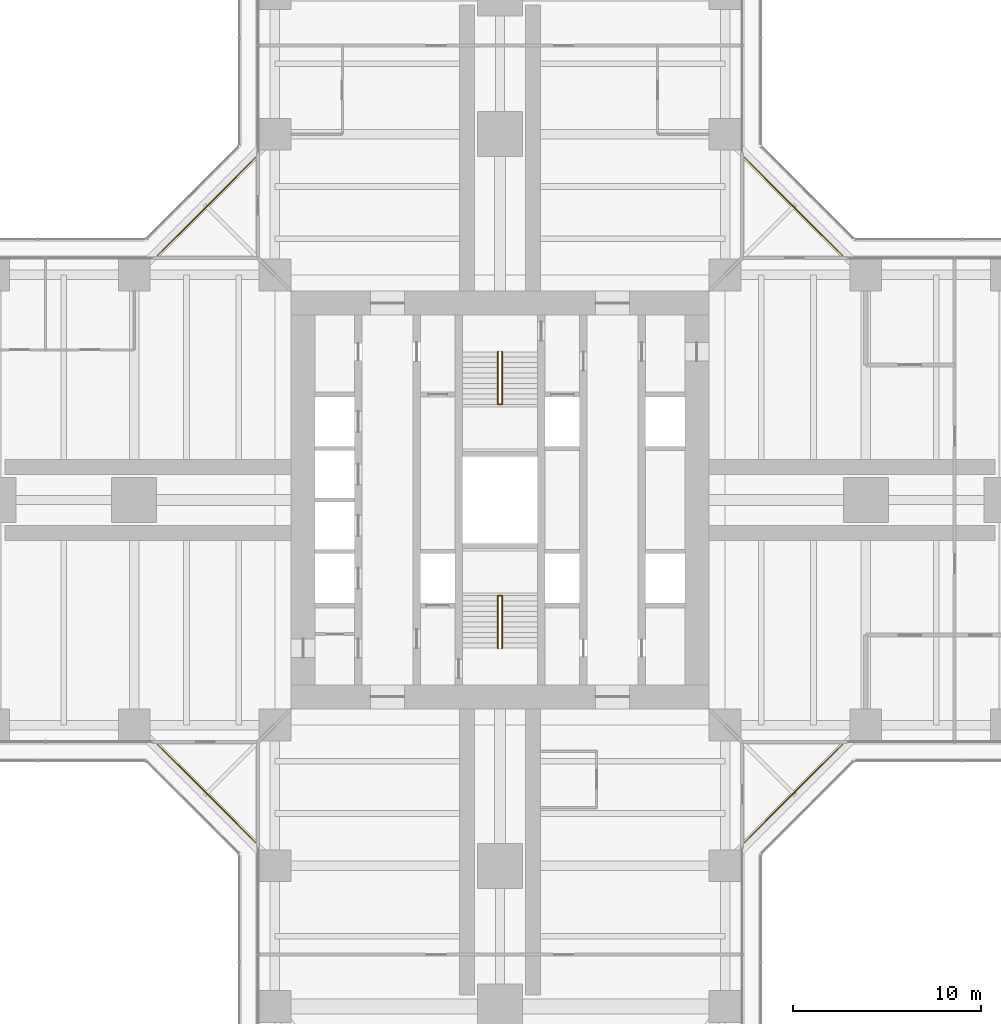
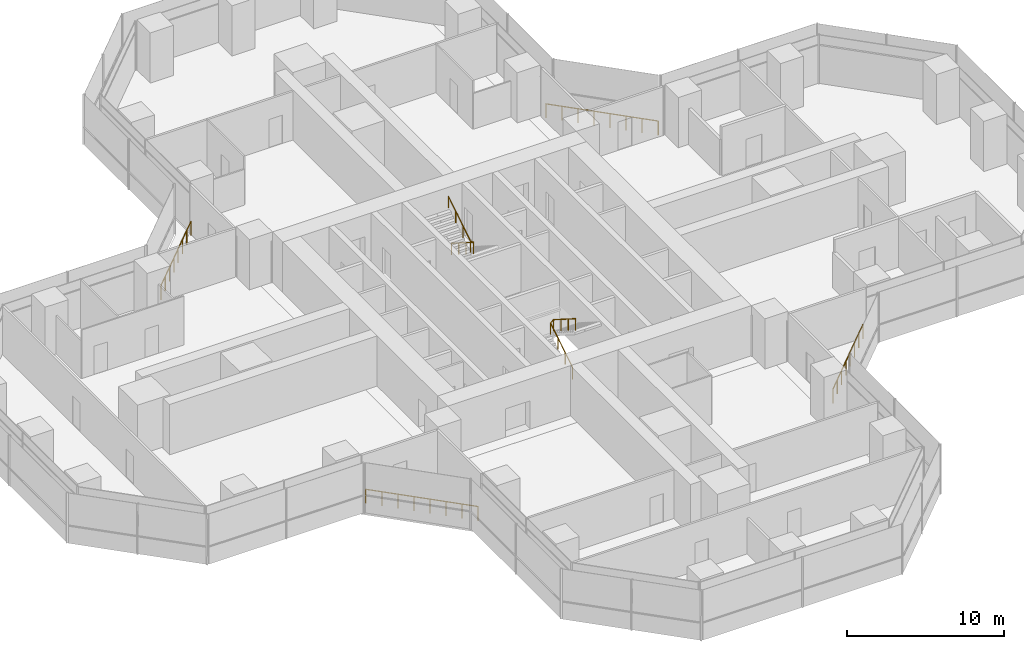
# One storey, part 22 of 22: 6 railings.
"""IFC4 building model written with IfcOpenShell, lengths in metres."""

from ifc_helpers import new_model, si_unit, direction, frame, origin, origin_2d, place, context, subcontext, project, spatial, circle, extrude, material, type_object, element, save


model = new_model("IFC4")

# Units and contexts
model_context = context("Model", 3, precision=1e-05, world=origin(), true_north=direction((0.0, 1.0)))
body_context = subcontext(model_context, "Body", "Model", "MODEL_VIEW")
ifc_project = project(units=[si_unit("LENGTHUNIT", "METRE"), si_unit("AREAUNIT", "SQUARE_METRE"), si_unit("VOLUMEUNIT", "CUBIC_METRE"), si_unit("PLANEANGLEUNIT", "RADIAN"), si_unit("MASSUNIT", "GRAM", prefix="KILO")], contexts=[model_context])

# Site, building, storey
site_placement = place(None, origin())
site = spatial("IfcSite", under=ifc_project, at=site_placement, CompositionType="ELEMENT")
building_placement = place(site_placement, origin())
building = spatial("IfcBuilding", under=site, at=building_placement, Name="Mizan Broadcast Tower", CompositionType="ELEMENT")
storey_placement = place(building_placement, frame((0.0, 0.0, 86.39990234375)))
storey = spatial("IfcBuildingStorey", under=building, at=storey_placement, Name="L18", CompositionType="ELEMENT", Elevation=86.39990234375)

# Railings
ifc_material_1 = material(Name="Stainless steel and glass guard", Category="steel")
railing_type_1 = type_object("IfcRailingType", Name="GUARD 1100", PredefinedType="GUARDRAIL", material=ifc_material_1)
railing_1_placement = place(storey_placement, frame((18.2578125, 13.030029296875, 0.0)))
element("IfcRailing", 1, at=railing_1_placement, inside=storey, type_object=railing_type_1, Name="Winter garden guard L18 E", PredefinedType="GUARDRAIL", context=body_context, shape_type="SweptSolid", body=[
    extrude(circle(Radius=0.02392578125, at=origin_2d()), frame((0.0, 0.0, 1.076171875), z_axis=(-0.707106781187, 0.707106781187, 0.0), x_axis=(-0.707106781187, -0.707106781187, 0.0)), (0.0, 0.0, 1.0), 7.393310546875),
    extrude(circle(Radius=0.02099609375, at=origin_2d()), origin(), (0.0, 0.0, 1.0), 1.052001953125),
    extrude(circle(Radius=0.02099609375, at=origin_2d()), frame((-0.746826171875, 0.746826171875, 0.0)), (0.0, 0.0, 1.0), 1.052001953125),
    extrude(circle(Radius=0.02099609375, at=origin_2d()), frame((-1.49365234375, 1.49365234375, 0.0)), (0.0, 0.0, 1.0), 1.052001953125),
    extrude(circle(Radius=0.02099609375, at=origin_2d()), frame((-2.240478515625, 2.240478515625, 0.0)), (0.0, 0.0, 1.0), 1.052001953125),
    extrude(circle(Radius=0.02099609375, at=origin_2d()), frame((-2.9873046875, 2.9873046875, 0.0)), (0.0, 0.0, 1.0), 1.052001953125),
    extrude(circle(Radius=0.02099609375, at=origin_2d()), frame((-3.734130859375, 3.734130859375, 0.0)), (0.0, 0.0, 1.0), 1.052001953125),
    extrude(circle(Radius=0.02099609375, at=origin_2d()), frame((-4.48095703125, 4.48095703125, 0.0)), (0.0, 0.0, 1.0), 1.052001953125),
    extrude(circle(Radius=0.02099609375, at=origin_2d()), frame((-5.227783203125, 5.227783203125, 0.0)), (0.0, 0.0, 1.0), 1.052001953125),
])
railing_2_placement = place(storey_placement, frame((-13.030029296875, 18.2578125, 0.0)))
element("IfcRailing", 2, at=railing_2_placement, inside=storey, type_object=railing_type_1, Name="Winter garden guard L18 N", PredefinedType="GUARDRAIL", context=body_context, shape_type="SweptSolid", body=[
    extrude(circle(Radius=0.02392578125, at=origin_2d()), frame((0.0, 0.0, 1.076171875), z_axis=(-0.707106781187, -0.707106781187, 0.0), x_axis=(0.707106781187, -0.707106781187, 0.0)), (0.0, 0.0, 1.0), 7.393310546875),
    extrude(circle(Radius=0.02099609375, at=origin_2d()), origin(), (0.0, 0.0, 1.0), 1.052001953125),
    extrude(circle(Radius=0.02099609375, at=origin_2d()), frame((-0.746826171875, -0.746826171875, 0.0)), (0.0, 0.0, 1.0), 1.052001953125),
    extrude(circle(Radius=0.02099609375, at=origin_2d()), frame((-1.49365234375, -1.49365234375, 0.0)), (0.0, 0.0, 1.0), 1.052001953125),
    extrude(circle(Radius=0.02099609375, at=origin_2d()), frame((-2.240478515625, -2.240478515625, 0.0)), (0.0, 0.0, 1.0), 1.052001953125),
    extrude(circle(Radius=0.02099609375, at=origin_2d()), frame((-2.9873046875, -2.9873046875, 0.0)), (0.0, 0.0, 1.0), 1.052001953125),
    extrude(circle(Radius=0.02099609375, at=origin_2d()), frame((-3.734130859375, -3.734130859375, 0.0)), (0.0, 0.0, 1.0), 1.052001953125),
    extrude(circle(Radius=0.02099609375, at=origin_2d()), frame((-4.48095703125, -4.48095703125, 0.0)), (0.0, 0.0, 1.0), 1.052001953125),
    extrude(circle(Radius=0.02099609375, at=origin_2d()), frame((-5.227783203125, -5.227783203125, 0.0)), (0.0, 0.0, 1.0), 1.052001953125),
])
railing_3_placement = place(storey_placement, frame((-18.2578125, -13.030029296875, 0.0)))
element("IfcRailing", 3, at=railing_3_placement, inside=storey, type_object=railing_type_1, Name="Winter garden guard L18 W", PredefinedType="GUARDRAIL", context=body_context, shape_type="SweptSolid", body=[
    extrude(circle(Radius=0.02392578125, at=origin_2d()), frame((0.0, 0.0, 1.076171875), z_axis=(0.707106781187, -0.707106781187, 0.0), x_axis=(0.707106781187, 0.707106781187, 0.0)), (0.0, 0.0, 1.0), 7.393310546875),
    extrude(circle(Radius=0.02099609375, at=origin_2d()), origin(), (0.0, 0.0, 1.0), 1.052001953125),
    extrude(circle(Radius=0.02099609375, at=origin_2d()), frame((0.746826171875, -0.746826171875, 0.0)), (0.0, 0.0, 1.0), 1.052001953125),
    extrude(circle(Radius=0.02099609375, at=origin_2d()), frame((1.49365234375, -1.49365234375, 0.0)), (0.0, 0.0, 1.0), 1.052001953125),
    extrude(circle(Radius=0.02099609375, at=origin_2d()), frame((2.240478515625, -2.240478515625, 0.0)), (0.0, 0.0, 1.0), 1.052001953125),
    extrude(circle(Radius=0.02099609375, at=origin_2d()), frame((2.9873046875, -2.9873046875, 0.0)), (0.0, 0.0, 1.0), 1.052001953125),
    extrude(circle(Radius=0.02099609375, at=origin_2d()), frame((3.734130859375, -3.734130859375, 0.0)), (0.0, 0.0, 1.0), 1.052001953125),
    extrude(circle(Radius=0.02099609375, at=origin_2d()), frame((4.48095703125, -4.48095703125, 0.0)), (0.0, 0.0, 1.0), 1.052001953125),
    extrude(circle(Radius=0.02099609375, at=origin_2d()), frame((5.227783203125, -5.227783203125, 0.0)), (0.0, 0.0, 1.0), 1.052001953125),
])
railing_4_placement = place(storey_placement, frame((13.030029296875, -18.2578125, 0.0)))
element("IfcRailing", 4, at=railing_4_placement, inside=storey, type_object=railing_type_1, Name="Winter garden guard L18 S", PredefinedType="GUARDRAIL", context=body_context, shape_type="SweptSolid", body=[
    extrude(circle(Radius=0.02392578125, at=origin_2d()), frame((0.0, 0.0, 1.076171875), z_axis=(0.707106781187, 0.707106781187, 0.0), x_axis=(-0.707106781187, 0.707106781187, 0.0)), (0.0, 0.0, 1.0), 7.393310546875),
    extrude(circle(Radius=0.02099609375, at=origin_2d()), origin(), (0.0, 0.0, 1.0), 1.052001953125),
    extrude(circle(Radius=0.02099609375, at=origin_2d()), frame((0.746826171875, 0.746826171875, 0.0)), (0.0, 0.0, 1.0), 1.052001953125),
    extrude(circle(Radius=0.02099609375, at=origin_2d()), frame((1.49365234375, 1.49365234375, 0.0)), (0.0, 0.0, 1.0), 1.052001953125),
    extrude(circle(Radius=0.02099609375, at=origin_2d()), frame((2.240478515625, 2.240478515625, 0.0)), (0.0, 0.0, 1.0), 1.052001953125),
    extrude(circle(Radius=0.02099609375, at=origin_2d()), frame((2.9873046875, 2.9873046875, 0.0)), (0.0, 0.0, 1.0), 1.052001953125),
    extrude(circle(Radius=0.02099609375, at=origin_2d()), frame((3.734130859375, 3.734130859375, 0.0)), (0.0, 0.0, 1.0), 1.052001953125),
    extrude(circle(Radius=0.02099609375, at=origin_2d()), frame((4.48095703125, 4.48095703125, 0.0)), (0.0, 0.0, 1.0), 1.052001953125),
    extrude(circle(Radius=0.02099609375, at=origin_2d()), frame((5.227783203125, 5.227783203125, 0.0)), (0.0, 0.0, 1.0), 1.052001953125),
])
ifc_material_2 = material(Name="Stainless steel", Category="steel")
railing_type_2 = type_object("IfcRailingType", Name="HANDRAIL 50", PredefinedType="HANDRAIL", material=ifc_material_2)
railing_5_placement = place(storey_placement, frame((-0.110107421875, -7.89990234375, 0.177490234375)))
element("IfcRailing", 5, at=railing_5_placement, inside=storey, type_object=railing_type_2, Name="Stair A handrail", PredefinedType="HANDRAIL", context=body_context, shape_type="SweptSolid", body=[
    extrude(circle(Radius=0.02392578125, at=origin_2d()), frame((0.0, 0.0, 0.8759765625), z_axis=(0.0, 0.844887892834, 0.53494340686), x_axis=(-1.0, 0.0, 0.0)), (0.0, 0.0, 1.0), 3.313720703125),
    extrude(circle(Radius=0.02392578125, at=origin_2d()), frame((0.0, 2.7998046875, 2.6484375), z_axis=(0.779011685263, 0.0, 0.627009405212), x_axis=(0.0, 1.0, 0.0)), (0.0, 0.0, 1.0), 0.28271484375),
    extrude(circle(Radius=0.02392578125, at=origin_2d()), frame((0.22021484375, 2.7998046875, 2.82568359375), z_axis=(0.0, -0.844887892834, 0.53494340686), x_axis=(1.0, 0.0, 0.0)), (0.0, 0.0, 1.0), 3.313720703125),
    extrude(circle(Radius=0.02099609375, at=origin_2d()), origin(), (0.0, 0.0, 1.0), 0.851806640625),
    extrude(circle(Radius=0.02099609375, at=origin_2d()), frame((0.0, 0.933349609375, 0.5908203125)), (0.0, 0.0, 1.0), 0.851806640625),
    extrude(circle(Radius=0.02099609375, at=origin_2d()), frame((0.0, 1.866455078125, 1.181884765625)), (0.0, 0.0, 1.0), 0.851806640625),
    extrude(circle(Radius=0.02099609375, at=origin_2d()), frame((0.0, 2.7998046875, 1.772705078125)), (0.0, 0.0, 1.0), 0.851806640625),
    extrude(circle(Radius=0.02099609375, at=origin_2d()), frame((0.22021484375, 2.7998046875, 1.949951171875)), (0.0, 0.0, 1.0), 0.851806640625),
    extrude(circle(Radius=0.02099609375, at=origin_2d()), frame((0.22021484375, 1.866455078125, 2.540771484375)), (0.0, 0.0, 1.0), 0.851806640625),
    extrude(circle(Radius=0.02099609375, at=origin_2d()), frame((0.22021484375, 0.933349609375, 3.1318359375)), (0.0, 0.0, 1.0), 0.851806640625),
    extrude(circle(Radius=0.02099609375, at=origin_2d()), frame((0.22021484375, 0.0, 3.72265625)), (0.0, 0.0, 1.0), 0.851806640625),
])
railing_6_placement = place(storey_placement, frame((0.110107421875, 7.89990234375, 0.177490234375)))
element("IfcRailing", 6, at=railing_6_placement, inside=storey, type_object=railing_type_2, Name="Stair B handrail", PredefinedType="HANDRAIL", context=body_context, shape_type="SweptSolid", body=[
    extrude(circle(Radius=0.02392578125, at=origin_2d()), frame((0.0, 0.0, 0.8759765625), z_axis=(0.0, -0.844887892834, 0.53494340686), x_axis=(1.0, 0.0, 0.0)), (0.0, 0.0, 1.0), 3.313720703125),
    extrude(circle(Radius=0.02392578125, at=origin_2d()), frame((0.0, -2.7998046875, 2.6484375), z_axis=(-0.779011685263, 0.0, 0.627009405212), x_axis=(0.0, -1.0, 0.0)), (0.0, 0.0, 1.0), 0.28271484375),
    extrude(circle(Radius=0.02392578125, at=origin_2d()), frame((-0.22021484375, -2.7998046875, 2.82568359375), z_axis=(0.0, 0.844887892834, 0.53494340686), x_axis=(-1.0, 0.0, 0.0)), (0.0, 0.0, 1.0), 3.313720703125),
    extrude(circle(Radius=0.02099609375, at=origin_2d()), origin(), (0.0, 0.0, 1.0), 0.851806640625),
    extrude(circle(Radius=0.02099609375, at=origin_2d()), frame((0.0, -0.933349609375, 0.5908203125)), (0.0, 0.0, 1.0), 0.851806640625),
    extrude(circle(Radius=0.02099609375, at=origin_2d()), frame((0.0, -1.866455078125, 1.181884765625)), (0.0, 0.0, 1.0), 0.851806640625),
    extrude(circle(Radius=0.02099609375, at=origin_2d()), frame((0.0, -2.7998046875, 1.772705078125)), (0.0, 0.0, 1.0), 0.851806640625),
    extrude(circle(Radius=0.02099609375, at=origin_2d()), frame((-0.22021484375, -2.7998046875, 1.949951171875)), (0.0, 0.0, 1.0), 0.851806640625),
    extrude(circle(Radius=0.02099609375, at=origin_2d()), frame((-0.22021484375, -1.866455078125, 2.540771484375)), (0.0, 0.0, 1.0), 0.851806640625),
    extrude(circle(Radius=0.02099609375, at=origin_2d()), frame((-0.22021484375, -0.933349609375, 3.1318359375)), (0.0, 0.0, 1.0), 0.851806640625),
    extrude(circle(Radius=0.02099609375, at=origin_2d()), frame((-0.22021484375, 0.0, 3.72265625)), (0.0, 0.0, 1.0), 0.851806640625),
])

save(model, "model.ifc")
